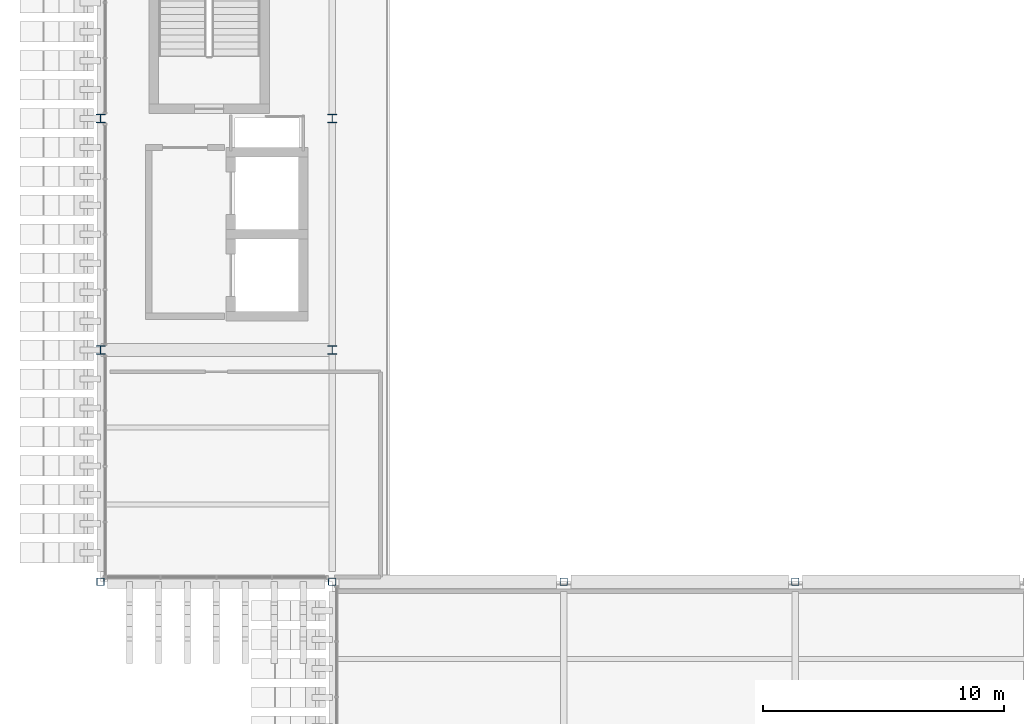
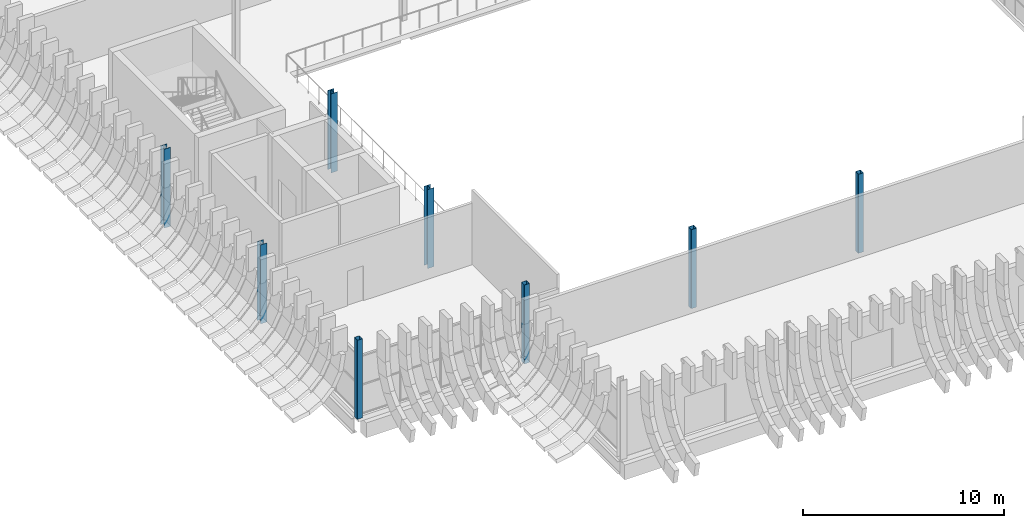
# One storey, part 3 of 100: 8 columns.
"""IFC4 building model written with IfcOpenShell, lengths in metres."""

from ifc_helpers import new_model, si_unit, direction, frame, origin, origin_2d, place, context, subcontext, project, spatial, hollow_rectangle, i_section, extrude, material, material_profile, profile_set, type_object, element, save


model = new_model("IFC4")

# Units and contexts
model_context = context("Model", 3, precision=1e-05, world=origin(), true_north=direction((0.0, 1.0)))
body_context = subcontext(model_context, "Body", "Model", "MODEL_VIEW")
ifc_project = project(units=[si_unit("LENGTHUNIT", "METRE"), si_unit("AREAUNIT", "SQUARE_METRE"), si_unit("VOLUMEUNIT", "CUBIC_METRE"), si_unit("PLANEANGLEUNIT", "RADIAN"), si_unit("MASSUNIT", "GRAM", prefix="KILO")], contexts=[model_context])

# Site, building, storey
site_placement = place(None, origin())
site = spatial("IfcSite", under=ifc_project, at=site_placement, CompositionType="ELEMENT")
building_placement = place(site_placement, origin())
building = spatial("IfcBuilding", under=site, at=building_placement, Name="Caelomonte Colonnade Arena", CompositionType="ELEMENT")
storey_placement = place(building_placement, origin())
storey = spatial("IfcBuildingStorey", under=building, at=storey_placement, Name="L00", CompositionType="ELEMENT", Elevation=0.0)

# Columns
ifc_material_1 = material(Name="Steel ASTM A500 Grade C", Category="steel")
ifc_material_profile_1 = material_profile(ifc_material_1, hollow_rectangle(XDim=0.3046875, YDim=0.3046875, WallThickness=0.0126953125, InnerFilletRadius=0.0126953125, OuterFilletRadius=0.025390625, at=origin_2d()), Name="HSS305X305X12.7")
ifc_profile_set_1 = profile_set([ifc_material_profile_1], Name="Steel ASTM A500 Grade C")
column_type_1 = type_object("IfcColumnType", Name="STR-COL-HSS30", PredefinedType="COLUMN", material=ifc_profile_set_1)
for number, where, z_axis, x_axis, name in (
    (1, (0.0, 38.39990234375, 0.0), (0.0, 0.0, 1.0), (1.0, 0.0, 0.0), "L00 column (0.0, 38.4)"),
    (2, (9.60009765625, 38.39990234375, 0.0), (0.0, 0.0, 1.0), (1.0, 0.0, 0.0), "L00 column (9.6, 38.4)"),
    (3, (19.199951171875, 38.39990234375, 0.0), (0.0, 0.0, 1.0), (1.0, 0.0, 0.0), "L00 column (19.2, 38.4)"),
    (4, (28.800048828125, 38.39990234375, 0.0), (0.0, 0.0, 1.0), (1.0, 0.0, 0.0), "L00 column (28.8, 38.4)"),
):
    element("IfcColumn", number, at=place(storey_placement, frame(where, z_axis=z_axis, x_axis=x_axis)), inside=storey, type_object=column_type_1, Name=name, PredefinedType="COLUMN", context=body_context, shape_type="SweptSolid", body=[
        extrude(hollow_rectangle(XDim=0.3046875, YDim=0.3046875, WallThickness=0.0126953125, InnerFilletRadius=0.0126953125, OuterFilletRadius=0.025390625, at=origin_2d()), origin(), (0.0, 0.0, 1.0), 4.800048828125),
    ])
ifc_material_2 = material(Name="Wide-flange steel ASTM A992 Grade 50", Category="steel")
ifc_material_profile_2 = material_profile(ifc_material_2, i_section(OverallWidth=0.368896484375, OverallDepth=0.356201171875, WebThickness=0.01123046875, FlangeThickness=0.01806640625, FilletRadius=0.01513671875, at=origin_2d()), Name="W14X90")
ifc_profile_set_2 = profile_set([ifc_material_profile_2], Name="Wide-flange steel ASTM A992 Grade 50")
column_type_2 = type_object("IfcColumnType", Name="STR-COL-W14B", PredefinedType="COLUMN", material=ifc_profile_set_2)
for number, where, z_axis, x_axis, name in (
    (5, (0.0, 48.0, 0.0), (0.0, 0.0, 1.0), (1.0, 0.0, 0.0), "L00 column (0.0, 48.0)"),
    (6, (0.0, 57.60009765625, 0.0), (0.0, 0.0, 1.0), (1.0, 0.0, 0.0), "L00 column (0.0, 57.6)"),
    (7, (9.60009765625, 48.0, 0.0), (0.0, 0.0, 1.0), (1.0, 0.0, 0.0), "L00 column (9.6, 48.0)"),
    (8, (9.60009765625, 57.60009765625, 0.0), (0.0, 0.0, 1.0), (1.0, 0.0, 0.0), "L00 column (9.6, 57.6)"),
):
    element("IfcColumn", number, at=place(storey_placement, frame(where, z_axis=z_axis, x_axis=x_axis)), inside=storey, type_object=column_type_2, Name=name, PredefinedType="COLUMN", context=body_context, shape_type="SweptSolid", body=[
        extrude(i_section(OverallWidth=0.368896484375, OverallDepth=0.356201171875, WebThickness=0.01123046875, FlangeThickness=0.01806640625, FilletRadius=0.01513671875, at=origin_2d()), origin(), (0.0, 0.0, 1.0), 4.800048828125),
    ])

save(model, "model.ifc")
